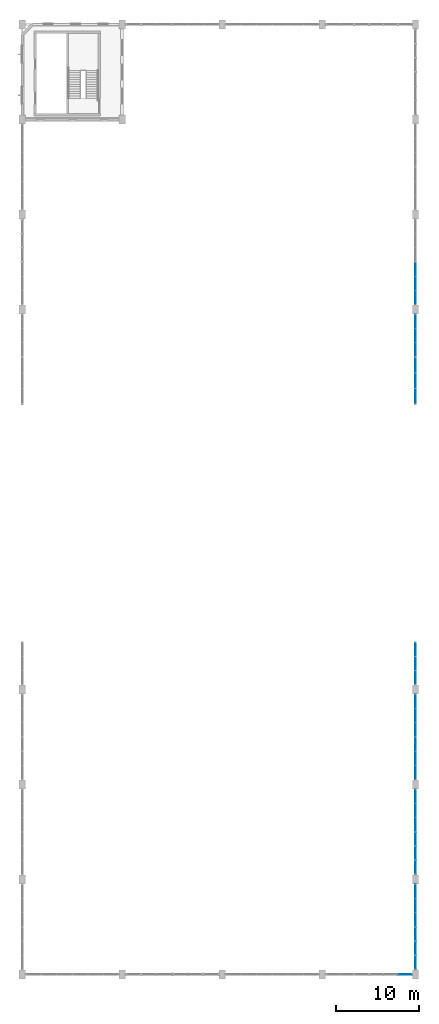
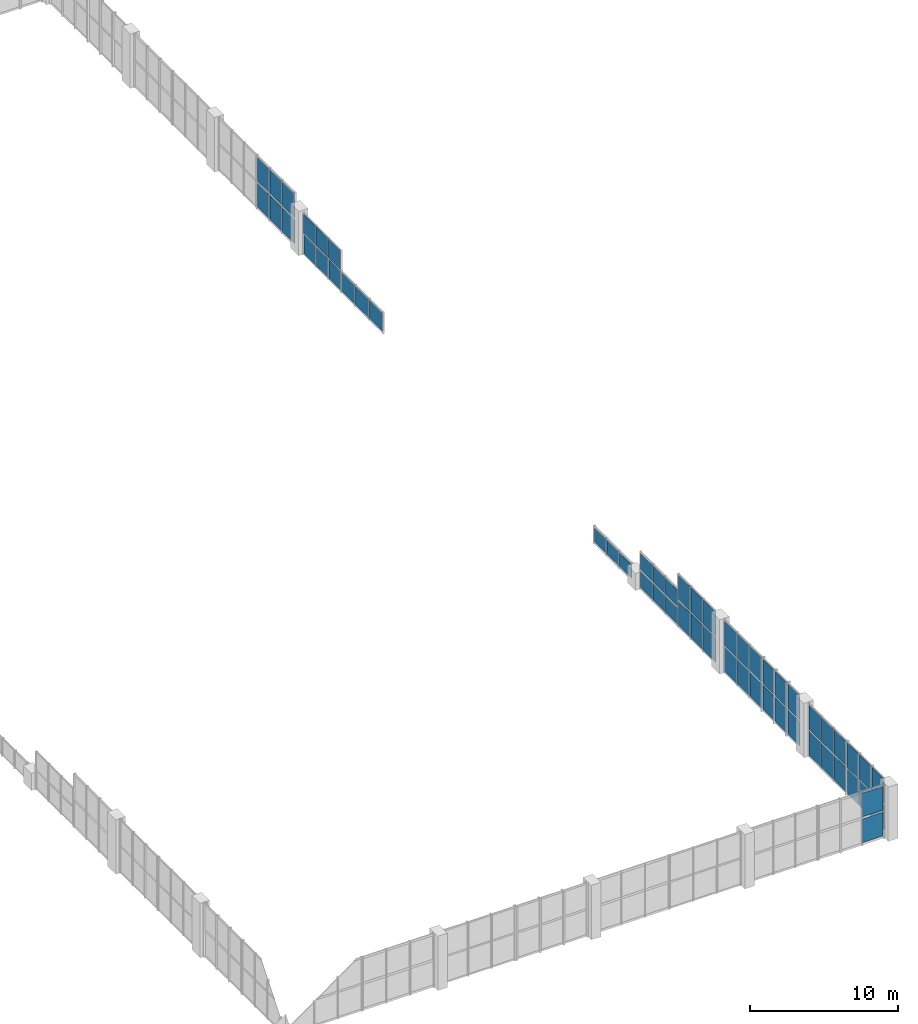
# One storey, part 33 of 48: 56 plates, 11 elements without a shape of their own.
"""IFC4 building model written with IfcOpenShell, lengths in metres."""

from ifc_helpers import new_model, si_unit, direction, frame, origin, origin_2d, place, context, subcontext, project, spatial, rectangle, extrude, material, layer, layer_set, type_object, element, aggregate, save


model = new_model("IFC4")

# Units and contexts
model_context = context("Model", 3, precision=1e-05, world=origin(), true_north=direction((0.0, 1.0)))
body_context = subcontext(model_context, "Body", "Model", "MODEL_VIEW")
ifc_project = project(units=[si_unit("LENGTHUNIT", "METRE"), si_unit("AREAUNIT", "SQUARE_METRE"), si_unit("VOLUMEUNIT", "CUBIC_METRE"), si_unit("PLANEANGLEUNIT", "RADIAN"), si_unit("MASSUNIT", "GRAM", prefix="KILO"), si_unit("POWERUNIT", "WATT"), si_unit("THERMODYNAMICTEMPERATUREUNIT", "KELVIN")], contexts=[model_context])

# Site, building, storey
site_placement = place(None, origin())
site = spatial("IfcSite", under=ifc_project, at=site_placement, CompositionType="ELEMENT")
building_placement = place(site_placement, origin())
building = spatial("IfcBuilding", under=site, at=building_placement, Name="Kelmbourne Parkland Aquatics Centre", CompositionType="ELEMENT")
storey_placement = place(building_placement, frame((0.0, 0.0, 14.699951171875)))
storey = spatial("IfcBuildingStorey", under=building, at=storey_placement, Name="L03", CompositionType="ELEMENT", Elevation=14.699951171875)

# Curtain wall, plates
ifc_material_1 = material(Name="Thermally broken anodised aluminium framing", Category="aluminium")
ifc_layer_1 = layer(ifc_material_1, 0.179931640625)
ifc_layer_set_1 = layer_set([ifc_layer_1], Name="Thermally broken anodised aluminium framing")
curtain_wall_type_1 = type_object("IfcCurtainWallType", Name="CW-03", PredefinedType="NOTDEFINED", material=ifc_layer_set_1)
curtain_wall_1_placement = place(storey_placement, origin())
curtain_wall_1 = element("IfcCurtainWall", 1, at=curtain_wall_1_placement, inside=storey, type_object=curtain_wall_type_1, Name="Wave-hall clerestory curtain wall CW-L03-003", PredefinedType="NOTDEFINED")
ifc_material_2 = material(Name="Double-glazed low-e laminated safety glass", Category="glass")
ifc_layer_2 = layer(ifc_material_2, 0.0419921875)
ifc_layer_set_2 = layer_set([ifc_layer_2], Name="Double-glazed low-e laminated safety glass")
plate_type_1 = type_object("IfcPlateType", Name="PL-CLR-1", PredefinedType="USERDEFINED", material=ifc_layer_set_2)
plate_1_placement = place(storey_placement, frame((175.199951171875, 2.24169921875, 2.279296875), z_axis=(0.0, 0.0, 1.0), x_axis=(0.0, 1.0, 0.0)))
plate_1 = element("IfcPlate", 2, at=plate_1_placement, type_object=plate_type_1, Name="CW-L03-003 clerestory glazing 1-0", ObjectType="CLERESTORY GLAZING", PredefinedType="USERDEFINED", context=body_context, shape_type="SweptSolid", body=[
    extrude(rectangle(XDim=1.601318359375, YDim=0.0419921875, at=origin_2d()), origin(), (0.0, 0.0, 1.0), 2.053955078125),
])
plate_2_placement = place(storey_placement, frame((175.199951171875, 3.926025390625, 2.279296875), z_axis=(0.0, 0.0, 1.0), x_axis=(0.0, 1.0, 0.0)))
plate_2 = element("IfcPlate", 3, at=plate_2_placement, type_object=plate_type_1, Name="CW-L03-003 clerestory glazing 1-1", ObjectType="CLERESTORY GLAZING", PredefinedType="USERDEFINED", context=body_context, shape_type="SweptSolid", body=[
    extrude(rectangle(XDim=1.601318359375, YDim=0.0419921875, at=origin_2d()), origin(), (0.0, 0.0, 1.0), 2.053955078125),
])
plate_3_placement = place(storey_placement, frame((175.199951171875, 5.6103515625, 2.279296875), z_axis=(0.0, 0.0, 1.0), x_axis=(0.0, 1.0, 0.0)))
plate_3 = element("IfcPlate", 4, at=plate_3_placement, type_object=plate_type_1, Name="CW-L03-003 clerestory glazing 1-2", ObjectType="CLERESTORY GLAZING", PredefinedType="USERDEFINED", context=body_context, shape_type="SweptSolid", body=[
    extrude(rectangle(XDim=1.601318359375, YDim=0.0419921875, at=origin_2d()), origin(), (0.0, 0.0, 1.0), 2.053955078125),
])

ifc_layer_3 = layer(ifc_material_1, 0.179931640625)
ifc_layer_set_3 = layer_set([ifc_layer_3], Name="Thermally broken anodised aluminium framing")
curtain_wall_type_2 = type_object("IfcCurtainWallType", Name="CW-10", PredefinedType="NOTDEFINED", material=ifc_layer_set_3)
curtain_wall_2_placement = place(storey_placement, origin())
curtain_wall_2 = element("IfcCurtainWall", 5, at=curtain_wall_2_placement, inside=storey, type_object=curtain_wall_type_2, Name="Wave-hall clerestory curtain wall CW-L03-010", PredefinedType="NOTDEFINED")
plate_4_placement = place(storey_placement, frame((175.199951171875, 7.379638671875, 2.2939453125), z_axis=(0.0, 0.0, 1.0), x_axis=(0.0, 1.0, 0.0)))
plate_4 = element("IfcPlate", 6, at=plate_4_placement, type_object=plate_type_1, Name="CW-L03-010 clerestory glazing 1-0", ObjectType="CLERESTORY GLAZING", PredefinedType="USERDEFINED", context=body_context, shape_type="SweptSolid", body=[
    extrude(rectangle(XDim=1.641357421875, YDim=0.0419921875, at=origin_2d()), origin(), (0.0, 0.0, 1.0), 2.009033203125),
])
plate_5_placement = place(storey_placement, frame((175.199951171875, 9.073974609375, 2.2939453125), z_axis=(0.0, 0.0, 1.0), x_axis=(0.0, 1.0, 0.0)))
plate_5 = element("IfcPlate", 7, at=plate_5_placement, type_object=plate_type_1, Name="CW-L03-010 clerestory glazing 1-1", ObjectType="CLERESTORY GLAZING", PredefinedType="USERDEFINED", context=body_context, shape_type="SweptSolid", body=[
    extrude(rectangle(XDim=1.641357421875, YDim=0.0419921875, at=origin_2d()), origin(), (0.0, 0.0, 1.0), 2.009033203125),
])
plate_6_placement = place(storey_placement, frame((175.199951171875, 10.768310546875, 2.2939453125), z_axis=(0.0, 0.0, 1.0), x_axis=(0.0, 1.0, 0.0)))
plate_6 = element("IfcPlate", 8, at=plate_6_placement, type_object=plate_type_1, Name="CW-L03-010 clerestory glazing 1-2", ObjectType="CLERESTORY GLAZING", PredefinedType="USERDEFINED", context=body_context, shape_type="SweptSolid", body=[
    extrude(rectangle(XDim=1.641357421875, YDim=0.0419921875, at=origin_2d()), origin(), (0.0, 0.0, 1.0), 2.009033203125),
])

ifc_layer_4 = layer(ifc_material_1, 0.179931640625)
ifc_layer_set_4 = layer_set([ifc_layer_4], Name="Thermally broken anodised aluminium framing")
curtain_wall_type_3 = type_object("IfcCurtainWallType", Name="CW-19", PredefinedType="NOTDEFINED", material=ifc_layer_set_4)
curtain_wall_3_placement = place(storey_placement, origin())
curtain_wall_3 = element("IfcCurtainWall", 9, at=curtain_wall_3_placement, inside=storey, type_object=curtain_wall_type_3, Name="Wave-hall clerestory curtain wall CW-L03-019", PredefinedType="NOTDEFINED")
plate_7_placement = place(storey_placement, frame((175.199951171875, 13.64501953125, 2.2939453125), z_axis=(0.0, 0.0, 1.0), x_axis=(0.0, 1.0, 0.0)))
plate_7 = element("IfcPlate", 10, at=plate_7_placement, type_object=plate_type_1, Name="CW-L03-019 clerestory glazing 1-0", ObjectType="CLERESTORY GLAZING", PredefinedType="USERDEFINED", context=body_context, shape_type="SweptSolid", body=[
    extrude(rectangle(XDim=1.587890625, YDim=0.0419921875, at=origin_2d()), origin(), (0.0, 0.0, 1.0), 2.009033203125),
])
plate_8_placement = place(storey_placement, frame((175.199951171875, 15.325927734375, 2.2939453125), z_axis=(0.0, 0.0, 1.0), x_axis=(0.0, 1.0, 0.0)))
plate_8 = element("IfcPlate", 11, at=plate_8_placement, type_object=plate_type_1, Name="CW-L03-019 clerestory glazing 1-1", ObjectType="CLERESTORY GLAZING", PredefinedType="USERDEFINED", context=body_context, shape_type="SweptSolid", body=[
    extrude(rectangle(XDim=1.587890625, YDim=0.0419921875, at=origin_2d()), origin(), (0.0, 0.0, 1.0), 2.009033203125),
])
plate_9_placement = place(storey_placement, frame((175.199951171875, 17.007080078125, 2.2939453125), z_axis=(0.0, 0.0, 1.0), x_axis=(0.0, 1.0, 0.0)))
plate_9 = element("IfcPlate", 12, at=plate_9_placement, type_object=plate_type_1, Name="CW-L03-019 clerestory glazing 1-2", ObjectType="CLERESTORY GLAZING", PredefinedType="USERDEFINED", context=body_context, shape_type="SweptSolid", body=[
    extrude(rectangle(XDim=1.587890625, YDim=0.0419921875, at=origin_2d()), origin(), (0.0, 0.0, 1.0), 2.009033203125),
])

ifc_layer_5 = layer(ifc_material_1, 0.179931640625)
ifc_layer_set_5 = layer_set([ifc_layer_5], Name="Thermally broken anodised aluminium framing")
curtain_wall_type_4 = type_object("IfcCurtainWallType", Name="CW-01", PredefinedType="NOTDEFINED", material=ifc_layer_set_5)
curtain_wall_4_placement = place(storey_placement, origin())
curtain_wall_4 = element("IfcCurtainWall", 13, at=curtain_wall_4_placement, inside=storey, type_object=curtain_wall_type_4, Name="Wave-hall clerestory curtain wall CW-L03-025", PredefinedType="NOTDEFINED")
plate_10_placement = place(storey_placement, frame((175.199951171875, 18.77978515625, 2.2939453125), z_axis=(0.0, 0.0, 1.0), x_axis=(0.0, 1.0, 0.0)))
plate_10 = element("IfcPlate", 14, at=plate_10_placement, type_object=plate_type_1, Name="CW-L03-025 clerestory glazing 1-0", ObjectType="CLERESTORY GLAZING", PredefinedType="USERDEFINED", context=body_context, shape_type="SweptSolid", body=[
    extrude(rectangle(XDim=1.641357421875, YDim=0.0419921875, at=origin_2d()), origin(), (0.0, 0.0, 1.0), 2.009033203125),
])
plate_11_placement = place(storey_placement, frame((175.199951171875, 20.47412109375, 2.2939453125), z_axis=(0.0, 0.0, 1.0), x_axis=(0.0, 1.0, 0.0)))
plate_11 = element("IfcPlate", 15, at=plate_11_placement, type_object=plate_type_1, Name="CW-L03-025 clerestory glazing 1-1", ObjectType="CLERESTORY GLAZING", PredefinedType="USERDEFINED", context=body_context, shape_type="SweptSolid", body=[
    extrude(rectangle(XDim=1.641357421875, YDim=0.0419921875, at=origin_2d()), origin(), (0.0, 0.0, 1.0), 2.009033203125),
])
plate_12_placement = place(storey_placement, frame((175.199951171875, 22.168212890625, 2.2939453125), z_axis=(0.0, 0.0, 1.0), x_axis=(0.0, 1.0, 0.0)))
plate_12 = element("IfcPlate", 16, at=plate_12_placement, type_object=plate_type_1, Name="CW-L03-025 clerestory glazing 1-2", ObjectType="CLERESTORY GLAZING", PredefinedType="USERDEFINED", context=body_context, shape_type="SweptSolid", body=[
    extrude(rectangle(XDim=1.641357421875, YDim=0.0419921875, at=origin_2d()), origin(), (0.0, 0.0, 1.0), 2.009033203125),
])

ifc_layer_6 = layer(ifc_material_1, 0.179931640625)
ifc_layer_set_6 = layer_set([ifc_layer_6], Name="Thermally broken anodised aluminium framing")
curtain_wall_type_5 = type_object("IfcCurtainWallType", Name="CW-07", PredefinedType="NOTDEFINED", material=ifc_layer_set_6)
curtain_wall_5_placement = place(storey_placement, origin())
curtain_wall_5 = element("IfcCurtainWall", 17, at=curtain_wall_5_placement, inside=storey, type_object=curtain_wall_type_5, Name="Wave-hall clerestory curtain wall CW-L03-031", PredefinedType="NOTDEFINED")
plate_13_placement = place(storey_placement, frame((175.199951171875, 25.034912109375, 2.2939453125), z_axis=(0.0, 0.0, 1.0), x_axis=(0.0, 1.0, 0.0)))
plate_13 = element("IfcPlate", 18, at=plate_13_placement, type_object=plate_type_1, Name="CW-L03-031 clerestory glazing 1-0", ObjectType="CLERESTORY GLAZING", PredefinedType="USERDEFINED", context=body_context, shape_type="SweptSolid", body=[
    extrude(rectangle(XDim=1.6279296875, YDim=0.0419921875, at=origin_2d()), origin(), (0.0, 0.0, 1.0), 2.009033203125),
])
plate_14_placement = place(storey_placement, frame((175.199951171875, 26.72607421875, 2.2939453125), z_axis=(0.0, 0.0, 1.0), x_axis=(0.0, 1.0, 0.0)))
plate_14 = element("IfcPlate", 19, at=plate_14_placement, type_object=plate_type_1, Name="CW-L03-031 clerestory glazing 1-1", ObjectType="CLERESTORY GLAZING", PredefinedType="USERDEFINED", context=body_context, shape_type="SweptSolid", body=[
    extrude(rectangle(XDim=1.6279296875, YDim=0.0419921875, at=origin_2d()), origin(), (0.0, 0.0, 1.0), 2.009033203125),
])
plate_15_placement = place(storey_placement, frame((175.199951171875, 28.4169921875, 2.2939453125), z_axis=(0.0, 0.0, 1.0), x_axis=(0.0, 1.0, 0.0)))
plate_15 = element("IfcPlate", 20, at=plate_15_placement, type_object=plate_type_1, Name="CW-L03-031 clerestory glazing 1-2", ObjectType="CLERESTORY GLAZING", PredefinedType="USERDEFINED", context=body_context, shape_type="SweptSolid", body=[
    extrude(rectangle(XDim=1.6279296875, YDim=0.0419921875, at=origin_2d()), origin(), (0.0, 0.0, 1.0), 2.009033203125),
])

ifc_layer_7 = layer(ifc_material_1, 0.179931640625)
ifc_layer_set_7 = layer_set([ifc_layer_7], Name="Thermally broken anodised aluminium framing")
curtain_wall_type_6 = type_object("IfcCurtainWallType", Name="CW-11", PredefinedType="NOTDEFINED", material=ifc_layer_set_7)
curtain_wall_6_placement = place(storey_placement, origin())
curtain_wall_6 = element("IfcCurtainWall", 21, at=curtain_wall_6_placement, inside=storey, type_object=curtain_wall_type_6, Name="Wave-hall clerestory curtain wall CW-L03-035", PredefinedType="NOTDEFINED")
plate_16_placement = place(storey_placement, frame((175.199951171875, 30.1796875, 1.670654296875), z_axis=(0.0, 0.0, 1.0), x_axis=(0.0, 1.0, 0.0)))
plate_16 = element("IfcPlate", 22, at=plate_16_placement, type_object=plate_type_1, Name="CW-L03-035 clerestory glazing 1-0", ObjectType="CLERESTORY GLAZING", PredefinedType="USERDEFINED", context=body_context, shape_type="SweptSolid", body=[
    extrude(rectangle(XDim=1.641357421875, YDim=0.0419921875, at=origin_2d()), origin(), (0.0, 0.0, 1.0), 1.32568359375),
])
plate_17_placement = place(storey_placement, frame((175.199951171875, 31.8740234375, 1.670654296875), z_axis=(0.0, 0.0, 1.0), x_axis=(0.0, 1.0, 0.0)))
plate_17 = element("IfcPlate", 23, at=plate_17_placement, type_object=plate_type_1, Name="CW-L03-035 clerestory glazing 1-1", ObjectType="CLERESTORY GLAZING", PredefinedType="USERDEFINED", context=body_context, shape_type="SweptSolid", body=[
    extrude(rectangle(XDim=1.641357421875, YDim=0.0419921875, at=origin_2d()), origin(), (0.0, 0.0, 1.0), 1.32568359375),
])
plate_18_placement = place(storey_placement, frame((175.199951171875, 33.568359375, 1.670654296875), z_axis=(0.0, 0.0, 1.0), x_axis=(0.0, 1.0, 0.0)))
plate_18 = element("IfcPlate", 24, at=plate_18_placement, type_object=plate_type_1, Name="CW-L03-035 clerestory glazing 1-2", ObjectType="CLERESTORY GLAZING", PredefinedType="USERDEFINED", context=body_context, shape_type="SweptSolid", body=[
    extrude(rectangle(XDim=1.641357421875, YDim=0.0419921875, at=origin_2d()), origin(), (0.0, 0.0, 1.0), 1.32568359375),
])

ifc_layer_8 = layer(ifc_material_1, 0.179931640625)
ifc_layer_set_8 = layer_set([ifc_layer_8], Name="Thermally broken anodised aluminium framing")
curtain_wall_type_7 = type_object("IfcCurtainWallType", Name="CW-17", PredefinedType="NOTDEFINED", material=ifc_layer_set_8)
curtain_wall_7_placement = place(storey_placement, origin())
curtain_wall_7 = element("IfcCurtainWall", 25, at=curtain_wall_7_placement, inside=storey, type_object=curtain_wall_type_7, Name="Wave-hall clerestory curtain wall CW-L03-041", PredefinedType="NOTDEFINED")
plate_19_placement = place(storey_placement, frame((175.199951171875, 36.43505859375, 0.17724609375), z_axis=(0.0, 0.0, 1.0), x_axis=(0.0, 1.0, 0.0)))
plate_19 = element("IfcPlate", 26, at=plate_19_placement, type_object=plate_type_1, Name="CW-L03-041 clerestory glazing 0-0", ObjectType="CLERESTORY GLAZING", PredefinedType="USERDEFINED", context=body_context, shape_type="SweptSolid", body=[
    extrude(rectangle(XDim=1.6279296875, YDim=0.0419921875, at=origin_2d()), origin(), (0.0, 0.0, 1.0), 1.152587890625),
])
plate_20_placement = place(storey_placement, frame((175.199951171875, 38.1259765625, 0.17724609375), z_axis=(0.0, 0.0, 1.0), x_axis=(0.0, 1.0, 0.0)))
plate_20 = element("IfcPlate", 27, at=plate_20_placement, type_object=plate_type_1, Name="CW-L03-041 clerestory glazing 0-1", ObjectType="CLERESTORY GLAZING", PredefinedType="USERDEFINED", context=body_context, shape_type="SweptSolid", body=[
    extrude(rectangle(XDim=1.6279296875, YDim=0.0419921875, at=origin_2d()), origin(), (0.0, 0.0, 1.0), 1.152587890625),
])
plate_21_placement = place(storey_placement, frame((175.199951171875, 39.81689453125, 0.17724609375), z_axis=(0.0, 0.0, 1.0), x_axis=(0.0, 1.0, 0.0)))
plate_21 = element("IfcPlate", 28, at=plate_21_placement, type_object=plate_type_1, Name="CW-L03-041 clerestory glazing 0-2", ObjectType="CLERESTORY GLAZING", PredefinedType="USERDEFINED", context=body_context, shape_type="SweptSolid", body=[
    extrude(rectangle(XDim=1.6279296875, YDim=0.0419921875, at=origin_2d()), origin(), (0.0, 0.0, 1.0), 1.152587890625),
])
aggregate(curtain_wall_7, [plate_19, plate_20, plate_21])

ifc_layer_9 = layer(ifc_material_1, 0.179931640625)
ifc_layer_set_9 = layer_set([ifc_layer_9], Name="Thermally broken anodised aluminium framing")
curtain_wall_type_8 = type_object("IfcCurtainWallType", Name="CW-13", PredefinedType="NOTDEFINED", material=ifc_layer_set_9)
curtain_wall_8_placement = place(storey_placement, origin())
curtain_wall_8 = element("IfcCurtainWall", 29, at=curtain_wall_8_placement, inside=storey, type_object=curtain_wall_type_8, Name="Wave-hall clerestory curtain wall CW-L03-061", PredefinedType="NOTDEFINED")
plate_22_placement = place(storey_placement, frame((175.199951171875, 70.175048828125, 0.14697265625), z_axis=(0.0, 0.0, 1.0), x_axis=(0.0, 1.0, 0.0)))
plate_22 = element("IfcPlate", 30, at=plate_22_placement, type_object=plate_type_1, Name="CW-L03-061 clerestory glazing 0-0", ObjectType="CLERESTORY GLAZING", PredefinedType="USERDEFINED", context=body_context, shape_type="SweptSolid", body=[
    extrude(rectangle(XDim=1.81201171875, YDim=0.0419921875, at=origin_2d()), origin(), (0.0, 0.0, 1.0), 1.505615234375),
])
plate_23_placement = place(storey_placement, frame((175.199951171875, 72.050048828125, 0.14697265625), z_axis=(0.0, 0.0, 1.0), x_axis=(0.0, 1.0, 0.0)))
plate_23 = element("IfcPlate", 31, at=plate_23_placement, type_object=plate_type_1, Name="CW-L03-061 clerestory glazing 0-1", ObjectType="CLERESTORY GLAZING", PredefinedType="USERDEFINED", context=body_context, shape_type="SweptSolid", body=[
    extrude(rectangle(XDim=1.81201171875, YDim=0.0419921875, at=origin_2d()), origin(), (0.0, 0.0, 1.0), 1.505615234375),
])
plate_24_placement = place(storey_placement, frame((175.199951171875, 73.925048828125, 0.14697265625), z_axis=(0.0, 0.0, 1.0), x_axis=(0.0, 1.0, 0.0)))
plate_24 = element("IfcPlate", 32, at=plate_24_placement, type_object=plate_type_1, Name="CW-L03-061 clerestory glazing 0-2", ObjectType="CLERESTORY GLAZING", PredefinedType="USERDEFINED", context=body_context, shape_type="SweptSolid", body=[
    extrude(rectangle(XDim=1.81201171875, YDim=0.0419921875, at=origin_2d()), origin(), (0.0, 0.0, 1.0), 1.505615234375),
])
aggregate(curtain_wall_8, [plate_22, plate_23, plate_24])

ifc_layer_10 = layer(ifc_material_1, 0.179931640625)
ifc_layer_set_10 = layer_set([ifc_layer_10], Name="Thermally broken anodised aluminium framing")
curtain_wall_type_9 = type_object("IfcCurtainWallType", Name="CW-18", PredefinedType="NOTDEFINED", material=ifc_layer_set_10)
curtain_wall_9_placement = place(storey_placement, origin())
curtain_wall_9 = element("IfcCurtainWall", 33, at=curtain_wall_9_placement, inside=storey, type_object=curtain_wall_type_9, Name="Wave-hall clerestory curtain wall CW-L03-066", PredefinedType="NOTDEFINED")
plate_25_placement = place(storey_placement, frame((175.199951171875, 75.782958984375, 1.790771484375), z_axis=(0.0, 0.0, 1.0), x_axis=(0.0, 1.0, 0.0)))
plate_25 = element("IfcPlate", 34, at=plate_25_placement, type_object=plate_type_1, Name="CW-L03-066 clerestory glazing 1-0", ObjectType="CLERESTORY GLAZING", PredefinedType="USERDEFINED", context=body_context, shape_type="SweptSolid", body=[
    extrude(rectangle(XDim=1.6279296875, YDim=0.0419921875, at=origin_2d()), origin(), (0.0, 0.0, 1.0), 1.5654296875),
])
plate_26_placement = place(storey_placement, frame((175.199951171875, 77.47412109375, 1.790771484375), z_axis=(0.0, 0.0, 1.0), x_axis=(0.0, 1.0, 0.0)))
plate_26 = element("IfcPlate", 35, at=plate_26_placement, type_object=plate_type_1, Name="CW-L03-066 clerestory glazing 1-1", ObjectType="CLERESTORY GLAZING", PredefinedType="USERDEFINED", context=body_context, shape_type="SweptSolid", body=[
    extrude(rectangle(XDim=1.6279296875, YDim=0.0419921875, at=origin_2d()), origin(), (0.0, 0.0, 1.0), 1.5654296875),
])
plate_27_placement = place(storey_placement, frame((175.199951171875, 79.1650390625, 1.790771484375), z_axis=(0.0, 0.0, 1.0), x_axis=(0.0, 1.0, 0.0)))
plate_27 = element("IfcPlate", 36, at=plate_27_placement, type_object=plate_type_1, Name="CW-L03-066 clerestory glazing 1-2", ObjectType="CLERESTORY GLAZING", PredefinedType="USERDEFINED", context=body_context, shape_type="SweptSolid", body=[
    extrude(rectangle(XDim=1.6279296875, YDim=0.0419921875, at=origin_2d()), origin(), (0.0, 0.0, 1.0), 1.5654296875),
])

ifc_layer_11 = layer(ifc_material_1, 0.179931640625)
ifc_layer_set_11 = layer_set([ifc_layer_11], Name="Thermally broken anodised aluminium framing")
curtain_wall_type_10 = type_object("IfcCurtainWallType", Name="CW-23", PredefinedType="NOTDEFINED", material=ifc_layer_set_11)
curtain_wall_10_placement = place(storey_placement, origin())
curtain_wall_10 = element("IfcCurtainWall", 37, at=curtain_wall_10_placement, inside=storey, type_object=curtain_wall_type_10, Name="Wave-hall clerestory curtain wall CW-L03-071", PredefinedType="NOTDEFINED")
plate_28_placement = place(storey_placement, frame((175.199951171875, 82.034912109375, 2.30908203125), z_axis=(0.0, 0.0, 1.0), x_axis=(0.0, 1.0, 0.0)))
plate_28 = element("IfcPlate", 38, at=plate_28_placement, type_object=plate_type_1, Name="CW-L03-071 clerestory glazing 1-0", ObjectType="CLERESTORY GLAZING", PredefinedType="USERDEFINED", context=body_context, shape_type="SweptSolid", body=[
    extrude(rectangle(XDim=1.6279296875, YDim=0.0419921875, at=origin_2d()), origin(), (0.0, 0.0, 1.0), 1.964111328125),
])
plate_29_placement = place(storey_placement, frame((175.199951171875, 83.72607421875, 2.30908203125), z_axis=(0.0, 0.0, 1.0), x_axis=(0.0, 1.0, 0.0)))
plate_29 = element("IfcPlate", 39, at=plate_29_placement, type_object=plate_type_1, Name="CW-L03-071 clerestory glazing 1-1", ObjectType="CLERESTORY GLAZING", PredefinedType="USERDEFINED", context=body_context, shape_type="SweptSolid", body=[
    extrude(rectangle(XDim=1.6279296875, YDim=0.0419921875, at=origin_2d()), origin(), (0.0, 0.0, 1.0), 1.964111328125),
])
plate_30_placement = place(storey_placement, frame((175.199951171875, 85.4169921875, 2.30908203125), z_axis=(0.0, 0.0, 1.0), x_axis=(0.0, 1.0, 0.0)))
plate_30 = element("IfcPlate", 40, at=plate_30_placement, type_object=plate_type_1, Name="CW-L03-071 clerestory glazing 1-2", ObjectType="CLERESTORY GLAZING", PredefinedType="USERDEFINED", context=body_context, shape_type="SweptSolid", body=[
    extrude(rectangle(XDim=1.6279296875, YDim=0.0419921875, at=origin_2d()), origin(), (0.0, 0.0, 1.0), 1.964111328125),
])

# Curtain wall, plate
ifc_layer_12 = layer(ifc_material_1, 0.179931640625)
ifc_layer_set_12 = layer_set([ifc_layer_12], Name="Thermally broken anodised aluminium framing")
curtain_wall_type_11 = type_object("IfcCurtainWallType", Name="CW-08", PredefinedType="NOTDEFINED", material=ifc_layer_set_12)
curtain_wall_11_placement = place(storey_placement, origin())
curtain_wall_11 = element("IfcCurtainWall", 41, at=curtain_wall_11_placement, inside=storey, type_object=curtain_wall_type_11, Name="Wave-hall clerestory curtain wall CW-L03-128", PredefinedType="NOTDEFINED")
plate_31_placement = place(storey_placement, frame((173.9208984375, 0.800048828125, 2.30908203125), z_axis=(0.0, 0.0, 1.0), x_axis=(1.0, 0.0, 0.0)))
plate_31 = element("IfcPlate", 42, at=plate_31_placement, type_object=plate_type_1, Name="CW-L03-128 clerestory glazing 1-2", ObjectType="CLERESTORY GLAZING", PredefinedType="USERDEFINED", context=body_context, shape_type="SweptSolid", body=[
    extrude(rectangle(XDim=1.626220703125, YDim=0.0419921875, at=origin_2d()), origin(), (0.0, 0.0, 1.0), 1.964111328125),
])

# Plate
ifc_layer_13 = layer(ifc_material_2, 0.02392578125)
ifc_layer_set_13 = layer_set([ifc_layer_13], Name="Double-glazed low-e laminated safety glass")
plate_type_2 = type_object("IfcPlateType", Name="PL-CWP-1", PredefinedType="CURTAIN_PANEL", material=ifc_layer_set_13)
plate_32_placement = place(storey_placement, frame((175.199951171875, 2.24169921875, 0.1171875), z_axis=(0.0, 0.0, 1.0), x_axis=(0.0, 1.0, 0.0)))
plate_32 = element("IfcPlate", 43, at=plate_32_placement, type_object=plate_type_2, Name="CW-L03-003 vision glazing 0-0", PredefinedType="CURTAIN_PANEL", context=body_context, shape_type="SweptSolid", body=[
    extrude(rectangle(XDim=1.601318359375, YDim=0.02392578125, at=origin_2d()), origin(), (0.0, 0.0, 1.0), 2.053955078125),
])

plate_33_placement = place(storey_placement, frame((175.199951171875, 3.926025390625, 0.1171875), z_axis=(0.0, 0.0, 1.0), x_axis=(0.0, 1.0, 0.0)))
plate_33 = element("IfcPlate", 44, at=plate_33_placement, type_object=plate_type_2, Name="CW-L03-003 vision glazing 0-1", PredefinedType="CURTAIN_PANEL", context=body_context, shape_type="SweptSolid", body=[
    extrude(rectangle(XDim=1.601318359375, YDim=0.02392578125, at=origin_2d()), origin(), (0.0, 0.0, 1.0), 2.053955078125),
])

plate_34_placement = place(storey_placement, frame((175.199951171875, 5.6103515625, 0.1171875), z_axis=(0.0, 0.0, 1.0), x_axis=(0.0, 1.0, 0.0)))
plate_34 = element("IfcPlate", 45, at=plate_34_placement, type_object=plate_type_2, Name="CW-L03-003 vision glazing 0-2", PredefinedType="CURTAIN_PANEL", context=body_context, shape_type="SweptSolid", body=[
    extrude(rectangle(XDim=1.601318359375, YDim=0.02392578125, at=origin_2d()), origin(), (0.0, 0.0, 1.0), 2.053955078125),
])

aggregate(curtain_wall_1, [plate_32, plate_33, plate_34, plate_1, plate_2, plate_3])

plate_35_placement = place(storey_placement, frame((175.199951171875, 75.782958984375, 0.1171875), z_axis=(0.0, 0.0, 1.0), x_axis=(0.0, 1.0, 0.0)))
plate_35 = element("IfcPlate", 46, at=plate_35_placement, type_object=plate_type_2, Name="CW-L03-066 vision glazing 0-0", PredefinedType="CURTAIN_PANEL", context=body_context, shape_type="SweptSolid", body=[
    extrude(rectangle(XDim=1.6279296875, YDim=0.02392578125, at=origin_2d()), origin(), (0.0, 0.0, 1.0), 1.565673828125),
])

plate_36_placement = place(storey_placement, frame((175.199951171875, 77.47412109375, 0.1171875), z_axis=(0.0, 0.0, 1.0), x_axis=(0.0, 1.0, 0.0)))
plate_36 = element("IfcPlate", 47, at=plate_36_placement, type_object=plate_type_2, Name="CW-L03-066 vision glazing 0-1", PredefinedType="CURTAIN_PANEL", context=body_context, shape_type="SweptSolid", body=[
    extrude(rectangle(XDim=1.6279296875, YDim=0.02392578125, at=origin_2d()), origin(), (0.0, 0.0, 1.0), 1.565673828125),
])

plate_37_placement = place(storey_placement, frame((175.199951171875, 79.1650390625, 0.1171875), z_axis=(0.0, 0.0, 1.0), x_axis=(0.0, 1.0, 0.0)))
plate_37 = element("IfcPlate", 48, at=plate_37_placement, type_object=plate_type_2, Name="CW-L03-066 vision glazing 0-2", PredefinedType="CURTAIN_PANEL", context=body_context, shape_type="SweptSolid", body=[
    extrude(rectangle(XDim=1.6279296875, YDim=0.02392578125, at=origin_2d()), origin(), (0.0, 0.0, 1.0), 1.565673828125),
])

aggregate(curtain_wall_9, [plate_35, plate_36, plate_37, plate_25, plate_26, plate_27])

ifc_layer_14 = layer(ifc_material_2, 0.035888671875)
ifc_layer_set_14 = layer_set([ifc_layer_14], Name="Double-glazed low-e laminated safety glass")
plate_type_3 = type_object("IfcPlateType", Name="PL-CWP-2", PredefinedType="CURTAIN_PANEL", material=ifc_layer_set_14)
plate_38_placement = place(storey_placement, frame((175.199951171875, 7.379638671875, 0.14697265625), z_axis=(0.0, 0.0, 1.0), x_axis=(0.0, 1.0, 0.0)))
plate_38 = element("IfcPlate", 49, at=plate_38_placement, type_object=plate_type_3, Name="CW-L03-010 vision glazing 0-0", PredefinedType="CURTAIN_PANEL", context=body_context, shape_type="SweptSolid", body=[
    extrude(rectangle(XDim=1.641357421875, YDim=0.035888671875, at=origin_2d()), origin(), (0.0, 0.0, 1.0), 2.009033203125),
])

plate_39_placement = place(storey_placement, frame((175.199951171875, 9.073974609375, 0.14697265625), z_axis=(0.0, 0.0, 1.0), x_axis=(0.0, 1.0, 0.0)))
plate_39 = element("IfcPlate", 50, at=plate_39_placement, type_object=plate_type_3, Name="CW-L03-010 vision glazing 0-1", PredefinedType="CURTAIN_PANEL", context=body_context, shape_type="SweptSolid", body=[
    extrude(rectangle(XDim=1.641357421875, YDim=0.035888671875, at=origin_2d()), origin(), (0.0, 0.0, 1.0), 2.009033203125),
])

plate_40_placement = place(storey_placement, frame((175.199951171875, 10.768310546875, 0.14697265625), z_axis=(0.0, 0.0, 1.0), x_axis=(0.0, 1.0, 0.0)))
plate_40 = element("IfcPlate", 51, at=plate_40_placement, type_object=plate_type_3, Name="CW-L03-010 vision glazing 0-2", PredefinedType="CURTAIN_PANEL", context=body_context, shape_type="SweptSolid", body=[
    extrude(rectangle(XDim=1.641357421875, YDim=0.035888671875, at=origin_2d()), origin(), (0.0, 0.0, 1.0), 2.009033203125),
])

aggregate(curtain_wall_2, [plate_38, plate_39, plate_40, plate_4, plate_5, plate_6])

plate_41_placement = place(storey_placement, frame((175.199951171875, 13.64501953125, 0.14697265625), z_axis=(0.0, 0.0, 1.0), x_axis=(0.0, 1.0, 0.0)))
plate_41 = element("IfcPlate", 52, at=plate_41_placement, type_object=plate_type_3, Name="CW-L03-019 vision glazing 0-0", PredefinedType="CURTAIN_PANEL", context=body_context, shape_type="SweptSolid", body=[
    extrude(rectangle(XDim=1.587890625, YDim=0.035888671875, at=origin_2d()), origin(), (0.0, 0.0, 1.0), 2.009033203125),
])

plate_42_placement = place(storey_placement, frame((175.199951171875, 15.325927734375, 0.14697265625), z_axis=(0.0, 0.0, 1.0), x_axis=(0.0, 1.0, 0.0)))
plate_42 = element("IfcPlate", 53, at=plate_42_placement, type_object=plate_type_3, Name="CW-L03-019 vision glazing 0-1", PredefinedType="CURTAIN_PANEL", context=body_context, shape_type="SweptSolid", body=[
    extrude(rectangle(XDim=1.587890625, YDim=0.035888671875, at=origin_2d()), origin(), (0.0, 0.0, 1.0), 2.009033203125),
])

plate_43_placement = place(storey_placement, frame((175.199951171875, 17.007080078125, 0.14697265625), z_axis=(0.0, 0.0, 1.0), x_axis=(0.0, 1.0, 0.0)))
plate_43 = element("IfcPlate", 54, at=plate_43_placement, type_object=plate_type_3, Name="CW-L03-019 vision glazing 0-2", PredefinedType="CURTAIN_PANEL", context=body_context, shape_type="SweptSolid", body=[
    extrude(rectangle(XDim=1.587890625, YDim=0.035888671875, at=origin_2d()), origin(), (0.0, 0.0, 1.0), 2.009033203125),
])

aggregate(curtain_wall_3, [plate_41, plate_42, plate_43, plate_7, plate_8, plate_9])

plate_44_placement = place(storey_placement, frame((175.199951171875, 18.77978515625, 0.14697265625), z_axis=(0.0, 0.0, 1.0), x_axis=(0.0, 1.0, 0.0)))
plate_44 = element("IfcPlate", 55, at=plate_44_placement, type_object=plate_type_3, Name="CW-L03-025 vision glazing 0-0", PredefinedType="CURTAIN_PANEL", context=body_context, shape_type="SweptSolid", body=[
    extrude(rectangle(XDim=1.641357421875, YDim=0.035888671875, at=origin_2d()), origin(), (0.0, 0.0, 1.0), 2.009033203125),
])

plate_45_placement = place(storey_placement, frame((175.199951171875, 20.47412109375, 0.14697265625), z_axis=(0.0, 0.0, 1.0), x_axis=(0.0, 1.0, 0.0)))
plate_45 = element("IfcPlate", 56, at=plate_45_placement, type_object=plate_type_3, Name="CW-L03-025 vision glazing 0-1", PredefinedType="CURTAIN_PANEL", context=body_context, shape_type="SweptSolid", body=[
    extrude(rectangle(XDim=1.641357421875, YDim=0.035888671875, at=origin_2d()), origin(), (0.0, 0.0, 1.0), 2.009033203125),
])

plate_46_placement = place(storey_placement, frame((175.199951171875, 22.168212890625, 0.14697265625), z_axis=(0.0, 0.0, 1.0), x_axis=(0.0, 1.0, 0.0)))
plate_46 = element("IfcPlate", 57, at=plate_46_placement, type_object=plate_type_3, Name="CW-L03-025 vision glazing 0-2", PredefinedType="CURTAIN_PANEL", context=body_context, shape_type="SweptSolid", body=[
    extrude(rectangle(XDim=1.641357421875, YDim=0.035888671875, at=origin_2d()), origin(), (0.0, 0.0, 1.0), 2.009033203125),
])

aggregate(curtain_wall_4, [plate_44, plate_45, plate_46, plate_10, plate_11, plate_12])

plate_47_placement = place(storey_placement, frame((175.199951171875, 25.034912109375, 0.14697265625), z_axis=(0.0, 0.0, 1.0), x_axis=(0.0, 1.0, 0.0)))
plate_47 = element("IfcPlate", 58, at=plate_47_placement, type_object=plate_type_3, Name="CW-L03-031 vision glazing 0-0", PredefinedType="CURTAIN_PANEL", context=body_context, shape_type="SweptSolid", body=[
    extrude(rectangle(XDim=1.6279296875, YDim=0.035888671875, at=origin_2d()), origin(), (0.0, 0.0, 1.0), 2.009033203125),
])

plate_48_placement = place(storey_placement, frame((175.199951171875, 26.72607421875, 0.14697265625), z_axis=(0.0, 0.0, 1.0), x_axis=(0.0, 1.0, 0.0)))
plate_48 = element("IfcPlate", 59, at=plate_48_placement, type_object=plate_type_3, Name="CW-L03-031 vision glazing 0-1", PredefinedType="CURTAIN_PANEL", context=body_context, shape_type="SweptSolid", body=[
    extrude(rectangle(XDim=1.6279296875, YDim=0.035888671875, at=origin_2d()), origin(), (0.0, 0.0, 1.0), 2.009033203125),
])

plate_49_placement = place(storey_placement, frame((175.199951171875, 28.4169921875, 0.14697265625), z_axis=(0.0, 0.0, 1.0), x_axis=(0.0, 1.0, 0.0)))
plate_49 = element("IfcPlate", 60, at=plate_49_placement, type_object=plate_type_3, Name="CW-L03-031 vision glazing 0-2", PredefinedType="CURTAIN_PANEL", context=body_context, shape_type="SweptSolid", body=[
    extrude(rectangle(XDim=1.6279296875, YDim=0.035888671875, at=origin_2d()), origin(), (0.0, 0.0, 1.0), 2.009033203125),
])

aggregate(curtain_wall_5, [plate_47, plate_48, plate_49, plate_13, plate_14, plate_15])

ifc_layer_15 = layer(ifc_material_2, 0.048095703125)
ifc_layer_set_15 = layer_set([ifc_layer_15], Name="Double-glazed low-e laminated safety glass")
plate_type_4 = type_object("IfcPlateType", Name="PL-CWP-3", PredefinedType="CURTAIN_PANEL", material=ifc_layer_set_15)
plate_50_placement = place(storey_placement, frame((175.199951171875, 30.1796875, 0.177001953125), z_axis=(0.0, 0.0, 1.0), x_axis=(0.0, 1.0, 0.0)))
plate_50 = element("IfcPlate", 61, at=plate_50_placement, type_object=plate_type_4, Name="CW-L03-035 vision glazing 0-0", PredefinedType="CURTAIN_PANEL", context=body_context, shape_type="SweptSolid", body=[
    extrude(rectangle(XDim=1.641357421875, YDim=0.048095703125, at=origin_2d()), origin(), (0.0, 0.0, 1.0), 1.32568359375),
])

plate_51_placement = place(storey_placement, frame((175.199951171875, 31.8740234375, 0.177001953125), z_axis=(0.0, 0.0, 1.0), x_axis=(0.0, 1.0, 0.0)))
plate_51 = element("IfcPlate", 62, at=plate_51_placement, type_object=plate_type_4, Name="CW-L03-035 vision glazing 0-1", PredefinedType="CURTAIN_PANEL", context=body_context, shape_type="SweptSolid", body=[
    extrude(rectangle(XDim=1.641357421875, YDim=0.048095703125, at=origin_2d()), origin(), (0.0, 0.0, 1.0), 1.32568359375),
])

plate_52_placement = place(storey_placement, frame((175.199951171875, 33.568359375, 0.177001953125), z_axis=(0.0, 0.0, 1.0), x_axis=(0.0, 1.0, 0.0)))
plate_52 = element("IfcPlate", 63, at=plate_52_placement, type_object=plate_type_4, Name="CW-L03-035 vision glazing 0-2", PredefinedType="CURTAIN_PANEL", context=body_context, shape_type="SweptSolid", body=[
    extrude(rectangle(XDim=1.641357421875, YDim=0.048095703125, at=origin_2d()), origin(), (0.0, 0.0, 1.0), 1.32568359375),
])

aggregate(curtain_wall_6, [plate_50, plate_51, plate_52, plate_16, plate_17, plate_18])

plate_53_placement = place(storey_placement, frame((175.199951171875, 82.034912109375, 0.1767578125), z_axis=(0.0, 0.0, 1.0), x_axis=(0.0, 1.0, 0.0)))
plate_53 = element("IfcPlate", 64, at=plate_53_placement, type_object=plate_type_4, Name="CW-L03-071 vision glazing 0-0", PredefinedType="CURTAIN_PANEL", context=body_context, shape_type="SweptSolid", body=[
    extrude(rectangle(XDim=1.6279296875, YDim=0.048095703125, at=origin_2d()), origin(), (0.0, 0.0, 1.0), 1.964111328125),
])

plate_54_placement = place(storey_placement, frame((175.199951171875, 83.72607421875, 0.1767578125), z_axis=(0.0, 0.0, 1.0), x_axis=(0.0, 1.0, 0.0)))
plate_54 = element("IfcPlate", 65, at=plate_54_placement, type_object=plate_type_4, Name="CW-L03-071 vision glazing 0-1", PredefinedType="CURTAIN_PANEL", context=body_context, shape_type="SweptSolid", body=[
    extrude(rectangle(XDim=1.6279296875, YDim=0.048095703125, at=origin_2d()), origin(), (0.0, 0.0, 1.0), 1.964111328125),
])

plate_55_placement = place(storey_placement, frame((175.199951171875, 85.4169921875, 0.1767578125), z_axis=(0.0, 0.0, 1.0), x_axis=(0.0, 1.0, 0.0)))
plate_55 = element("IfcPlate", 66, at=plate_55_placement, type_object=plate_type_4, Name="CW-L03-071 vision glazing 0-2", PredefinedType="CURTAIN_PANEL", context=body_context, shape_type="SweptSolid", body=[
    extrude(rectangle(XDim=1.6279296875, YDim=0.048095703125, at=origin_2d()), origin(), (0.0, 0.0, 1.0), 1.964111328125),
])

aggregate(curtain_wall_10, [plate_53, plate_54, plate_55, plate_28, plate_29, plate_30])

plate_56_placement = place(storey_placement, frame((173.9208984375, 0.800048828125, 0.1767578125), z_axis=(0.0, 0.0, 1.0), x_axis=(1.0, 0.0, 0.0)))
plate_56 = element("IfcPlate", 67, at=plate_56_placement, type_object=plate_type_4, Name="CW-L03-128 vision glazing 0-2", PredefinedType="CURTAIN_PANEL", context=body_context, shape_type="SweptSolid", body=[
    extrude(rectangle(XDim=1.626220703125, YDim=0.048095703125, at=origin_2d()), origin(), (0.0, 0.0, 1.0), 1.964111328125),
])

aggregate(curtain_wall_11, [plate_56, plate_31])

save(model, "model.ifc")
